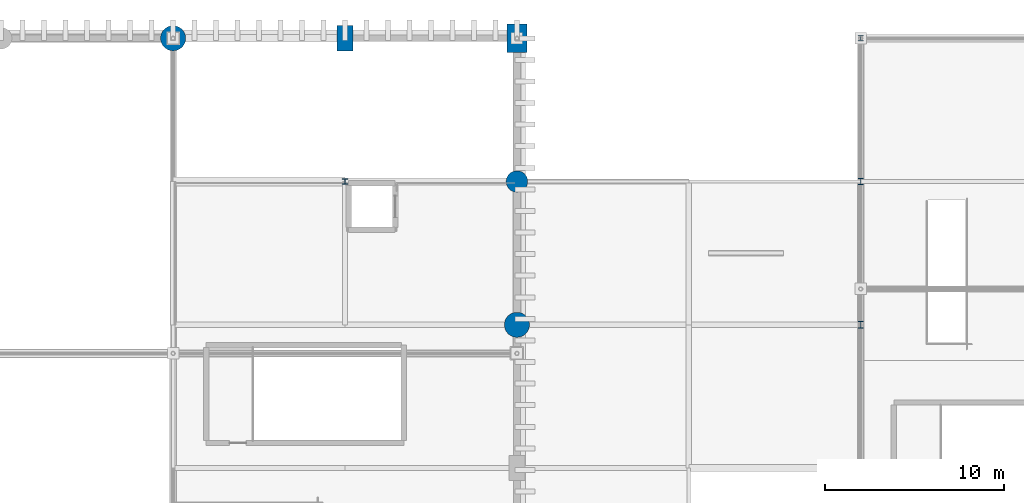
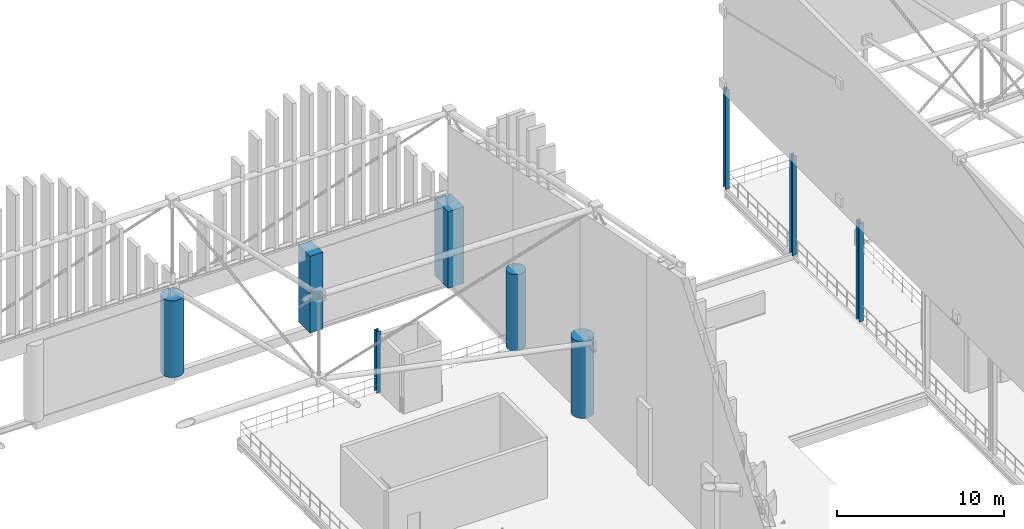
# One storey, part 22 of 193: 9 columns.
"""IFC4 building model written with IfcOpenShell, lengths in metres."""

from ifc_helpers import new_model, si_unit, direction, frame, origin, origin_2d, place, context, subcontext, project, spatial, rectangle, circle, i_section, extrude, material, material_profile, profile_set, type_object, element, save


model = new_model("IFC4")

# Units and contexts
model_context = context("Model", 3, precision=1e-05, world=origin(), true_north=direction((0.0, 1.0)))
body_context = subcontext(model_context, "Body", "Model", "MODEL_VIEW")
ifc_project = project(units=[si_unit("LENGTHUNIT", "METRE"), si_unit("AREAUNIT", "SQUARE_METRE"), si_unit("VOLUMEUNIT", "CUBIC_METRE"), si_unit("PLANEANGLEUNIT", "RADIAN"), si_unit("MASSUNIT", "GRAM", prefix="KILO")], contexts=[model_context])

# Site, building, storey
site_placement = place(None, origin())
site = spatial("IfcSite", under=ifc_project, at=site_placement, CompositionType="ELEMENT")
building_placement = place(site_placement, origin())
building = spatial("IfcBuilding", under=site, at=building_placement, Name="Danafjord Basin Convention Centre", CompositionType="ELEMENT")
storey_placement = place(building_placement, frame((0.0, 0.0, 11.39990234375)))
storey = spatial("IfcBuildingStorey", under=building, at=storey_placement, Name="L02", CompositionType="ELEMENT", Elevation=11.39990234375)

# Columns
ifc_material_1 = material(Name="Steel S355", Category="steel")
ifc_material_profile_1 = material_profile(ifc_material_1, i_section(OverallWidth=0.300048828125, OverallDepth=0.300048828125, WebThickness=0.010986328125, FlangeThickness=0.01904296875, FilletRadius=0.027099609375, at=origin_2d()), Name="HEB 300")
ifc_profile_set_1 = profile_set([ifc_material_profile_1], Name="Steel S355")
column_type_1 = type_object("IfcColumnType", Name="COL-C-HEB300", PredefinedType="COLUMN", material=ifc_profile_set_1)
column_1_placement = place(storey_placement, frame((105.60009765625, 136.0, 0.0), z_axis=(0.0, 0.0, 1.0), x_axis=(1.0, 0.0, 0.0)))
element("IfcColumn", 1, at=column_1_placement, inside=storey, type_object=column_type_1, Name="L02 column C-HEB300 at (105.6, 136.0)", PredefinedType="COLUMN", context=body_context, shape_type="SweptSolid", body=[
    extrude(i_section(OverallWidth=0.300048828125, OverallDepth=0.300048828125, WebThickness=0.010986328125, FlangeThickness=0.01904296875, FilletRadius=0.027099609375, at=origin_2d()), origin(), (0.0, 0.0, 1.0), 4.5),
])
column_2_placement = place(storey_placement, frame((134.39990234375, 144.0, 0.0), z_axis=(0.0, 0.0, 1.0), x_axis=(1.0, 0.0, 0.0)))
element("IfcColumn", 2, at=column_2_placement, inside=storey, type_object=column_type_1, Name="L02 column C-HEB300 at (134.4, 144.0)", PredefinedType="COLUMN", context=body_context, shape_type="SweptSolid", body=[
    extrude(i_section(OverallWidth=0.300048828125, OverallDepth=0.300048828125, WebThickness=0.010986328125, FlangeThickness=0.01904296875, FilletRadius=0.027099609375, at=origin_2d()), origin(), (0.0, 0.0, 1.0), 7.27001953125),
])
ifc_material_profile_2 = material_profile(ifc_material_1, i_section(OverallWidth=0.300048828125, OverallDepth=0.360107421875, WebThickness=0.012451171875, FlangeThickness=0.0224609375, FilletRadius=0.027099609375, at=origin_2d()), Name="HEB 360")
ifc_profile_set_2 = profile_set([ifc_material_profile_2], Name="Steel S355")
column_type_2 = type_object("IfcColumnType", Name="COL-C-HEB360", PredefinedType="COLUMN", material=ifc_profile_set_2)
column_3_placement = place(storey_placement, frame((134.39990234375, 136.0, 0.0), z_axis=(0.0, 0.0, 1.0), x_axis=(1.0, 0.0, 0.0)))
element("IfcColumn", 3, at=column_3_placement, inside=storey, type_object=column_type_2, Name="L02 column C-HEB360 at (134.4, 136.0)", PredefinedType="COLUMN", context=body_context, shape_type="SweptSolid", body=[
    extrude(i_section(OverallWidth=0.300048828125, OverallDepth=0.360107421875, WebThickness=0.012451171875, FlangeThickness=0.0224609375, FilletRadius=0.027099609375, at=origin_2d()), origin(), (0.0, 0.0, 1.0), 7.27001953125),
])
ifc_material_profile_3 = material_profile(ifc_material_1, i_section(OverallWidth=0.300048828125, OverallDepth=0.39990234375, WebThickness=0.013427734375, FlangeThickness=0.02392578125, FilletRadius=0.027099609375, at=origin_2d()), Name="HEB 400")
ifc_profile_set_3 = profile_set([ifc_material_profile_3], Name="Steel S355")
column_type_3 = type_object("IfcColumnType", Name="COL-C-HEB400", PredefinedType="COLUMN", material=ifc_profile_set_3)
column_4_placement = place(storey_placement, frame((134.39990234375, 128.0, 0.0), z_axis=(0.0, 0.0, 1.0), x_axis=(1.0, 0.0, 0.0)))
element("IfcColumn", 4, at=column_4_placement, inside=storey, type_object=column_type_3, Name="L02 column C-HEB400 at (134.4, 128.0)", PredefinedType="COLUMN", context=body_context, shape_type="SweptSolid", body=[
    extrude(i_section(OverallWidth=0.300048828125, OverallDepth=0.39990234375, WebThickness=0.013427734375, FlangeThickness=0.02392578125, FilletRadius=0.027099609375, at=origin_2d()), origin(), (0.0, 0.0, 1.0), 7.27001953125),
])
ifc_material_2 = material(Name="Concrete C50/60", Category="concrete")
ifc_material_profile_4 = material_profile(ifc_material_2, rectangle(XDim=0.89990234375, YDim=1.39990234375, at=origin_2d()), Name="RC 1400x900")
ifc_profile_set_4 = profile_set([ifc_material_profile_4], Name="Concrete C50/60")
column_type_4 = type_object("IfcColumnType", Name="COL-C-RC1400", PredefinedType="COLUMN", material=ifc_profile_set_4)
column_5_placement = place(storey_placement, frame((105.60009765625, 144.0, 0.0), z_axis=(0.0, 0.0, 1.0), x_axis=(1.0, 0.0, 0.0)))
element("IfcColumn", 5, at=column_5_placement, inside=storey, type_object=column_type_4, Name="L02 column C-RC1400 at (105.6, 144.0)", PredefinedType="COLUMN", context=body_context, shape_type="SweptSolid", body=[
    extrude(rectangle(XDim=0.89990234375, YDim=1.39990234375, at=origin_2d()), origin(), (0.0, 0.0, 1.0), 5.6201171875),
])
ifc_material_profile_5 = material_profile(ifc_material_2, rectangle(XDim=1.10009765625, YDim=1.60009765625, at=origin_2d()), Name="RC 1600x1100")
ifc_profile_set_5 = profile_set([ifc_material_profile_5], Name="Concrete C50/60")
column_type_5 = type_object("IfcColumnType", Name="COL-C-RC1600", PredefinedType="COLUMN", material=ifc_profile_set_5)
column_6_placement = place(storey_placement, frame((115.199951171875, 144.0, 0.0), z_axis=(0.0, 0.0, 1.0), x_axis=(1.0, 0.0, 0.0)))
element("IfcColumn", 6, at=column_6_placement, inside=storey, type_object=column_type_5, Name="L02 column C-RC1600 at (115.2, 144.0)", PredefinedType="COLUMN", context=body_context, shape_type="SweptSolid", body=[
    extrude(rectangle(XDim=1.10009765625, YDim=1.60009765625, at=origin_2d()), origin(), (0.0, 0.0, 1.0), 5.6201171875),
])
ifc_material_profile_6 = material_profile(ifc_material_2, circle(Radius=0.60009765625, at=origin_2d()), Name="RC D1200")
ifc_profile_set_6 = profile_set([ifc_material_profile_6], Name="Concrete C50/60")
column_type_6 = type_object("IfcColumnType", Name="COL-C-RCD1200", PredefinedType="COLUMN", material=ifc_profile_set_6)
column_7_placement = place(storey_placement, frame((115.199951171875, 136.0, 0.0), z_axis=(0.0, 0.0, 1.0), x_axis=(1.0, 0.0, 0.0)))
element("IfcColumn", 7, at=column_7_placement, inside=storey, type_object=column_type_6, Name="L02 column C-RCD1200 at (115.2, 136.0)", PredefinedType="COLUMN", context=body_context, shape_type="SweptSolid", body=[
    extrude(circle(Radius=0.60009765625, at=origin_2d()), origin(), (0.0, 0.0, 1.0), 5.6201171875),
])
ifc_material_profile_7 = material_profile(ifc_material_2, circle(Radius=0.699951171875, at=origin_2d()), Name="RC D1400")
ifc_profile_set_7 = profile_set([ifc_material_profile_7], Name="Concrete C50/60")
column_type_7 = type_object("IfcColumnType", Name="COL-C-RCD1400", PredefinedType="COLUMN", material=ifc_profile_set_7)
for number, where, z_axis, x_axis, name in (
    (8, (96.0, 144.0, 0.0), (0.0, 0.0, 1.0), (1.0, 0.0, 0.0), "L02 column C-RCD1400 at (96.0, 144.0)"),
    (9, (115.199951171875, 128.0, 0.0), (0.0, 0.0, 1.0), (1.0, 0.0, 0.0), "L02 column C-RCD1400 at (115.2, 128.0)"),
):
    element("IfcColumn", number, at=place(storey_placement, frame(where, z_axis=z_axis, x_axis=x_axis)), inside=storey, type_object=column_type_7, Name=name, PredefinedType="COLUMN", context=body_context, shape_type="SweptSolid", body=[
        extrude(circle(Radius=0.699951171875, at=origin_2d()), origin(), (0.0, 0.0, 1.0), 5.6201171875),
    ])

save(model, "model.ifc")
